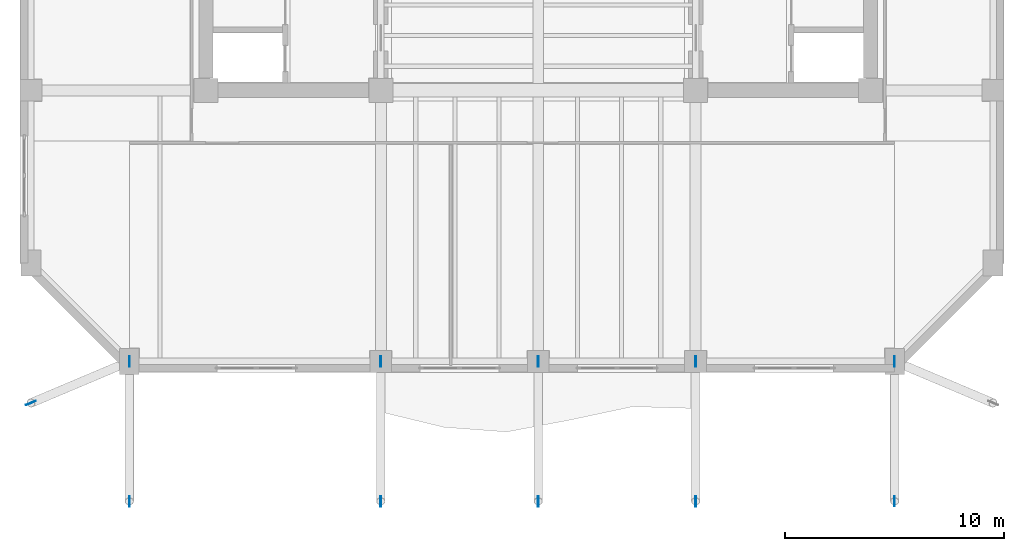
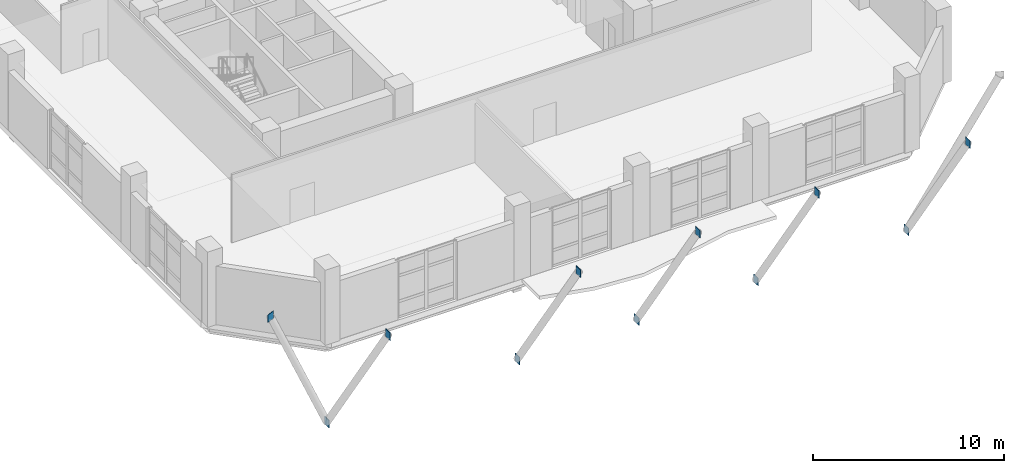
# One storey, part 7 of 16: 11 plates.
"""IFC4 building model written with IfcOpenShell, lengths in metres."""

from ifc_helpers import new_model, si_unit, direction, frame, origin, origin_2d, place, context, subcontext, project, spatial, rectangle, extrude, material, layer, layer_set, type_object, element, save


model = new_model("IFC4")

# Units and contexts
model_context = context("Model", 3, precision=1e-05, world=origin(), true_north=direction((0.0, 1.0)))
body_context = subcontext(model_context, "Body", "Model", "MODEL_VIEW")
ifc_project = project(units=[si_unit("LENGTHUNIT", "METRE"), si_unit("AREAUNIT", "SQUARE_METRE"), si_unit("VOLUMEUNIT", "CUBIC_METRE"), si_unit("PLANEANGLEUNIT", "RADIAN"), si_unit("MASSUNIT", "GRAM", prefix="KILO")], contexts=[model_context])

# Site, building, storey
site_placement = place(None, origin())
site = spatial("IfcSite", under=ifc_project, at=site_placement, CompositionType="ELEMENT")
building_placement = place(site_placement, origin())
building = spatial("IfcBuilding", under=site, at=building_placement, Name="Kranthara Brick Stack", CompositionType="ELEMENT")
storey_placement = place(building_placement, frame((0.0, 0.0, 115.5)))
storey = spatial("IfcBuildingStorey", under=building, at=storey_placement, Name="L28", CompositionType="ELEMENT", Elevation=115.5)

# Plates
ifc_material = material(Name="Steel S355", Category="steel")
ifc_layer = layer(ifc_material, 0.030029296875)
ifc_layer_set = layer_set([ifc_layer], Name="Steel S355")
plate_type = type_object("IfcPlateType", Name="PLT-GUSSET-30", PredefinedType="USERDEFINED", material=ifc_layer_set)
for number, where, z_axis, x_axis, name in (
    (1, (9.300048828125, 8.39990234375, -5.639892578125), (0.0, 0.0, 1.0), (0.0, 1.0, 0.0), "L28 Brace and Strut End Connection Gusset Plate 045"),
    (2, (9.300048828125, 2.0, 3.81005859375), (0.0, 0.0, 1.0), (0.0, 1.0, 0.0), "L28 Brace and Strut End Connection Gusset Plate 046"),
    (3, (20.800048828125, 8.39990234375, -5.639892578125), (0.0, 0.0, 1.0), (0.0, 1.0, 0.0), "L28 Brace and Strut End Connection Gusset Plate 047"),
    (4, (20.800048828125, 2.0, 3.81005859375), (0.0, 0.0, 1.0), (0.0, 1.0, 0.0), "L28 Brace and Strut End Connection Gusset Plate 048"),
    (5, (28.0, 8.39990234375, -5.639892578125), (0.0, 0.0, 1.0), (0.0, 1.0, 0.0), "L28 Brace and Strut End Connection Gusset Plate 049"),
    (6, (28.0, 2.0, 3.81005859375), (0.0, 0.0, 1.0), (0.0, 1.0, 0.0), "L28 Brace and Strut End Connection Gusset Plate 050"),
    (7, (35.199951171875, 8.39990234375, -5.639892578125), (0.0, 0.0, 1.0), (0.0, 1.0, 0.0), "L28 Brace and Strut End Connection Gusset Plate 051"),
    (8, (35.199951171875, 2.0, 3.81005859375), (0.0, 0.0, 1.0), (0.0, 1.0, 0.0), "L28 Brace and Strut End Connection Gusset Plate 052"),
    (9, (44.300048828125, 8.39990234375, -5.639892578125), (0.0, 0.0, 1.0), (0.0, 1.0, 0.0), "L28 Brace and Strut End Connection Gusset Plate 053"),
    (10, (44.300048828125, 2.0, 3.81005859375), (0.0, 0.0, 1.0), (0.0, 1.0, 0.0), "L28 Brace and Strut End Connection Gusset Plate 054"),
    (11, (4.800048828125, 6.5, 3.81005859375), (0.0, 0.0, 1.0), (0.921185405566, 0.38912395014, 0.0), "L28 Brace and Strut End Connection Gusset Plate 055"),
):
    element("IfcPlate", number, at=place(storey_placement, frame(where, z_axis=z_axis, x_axis=x_axis)), inside=storey, type_object=plate_type, Name=name, ObjectType="GUSSET PLATE", PredefinedType="USERDEFINED", context=body_context, shape_type="SweptSolid", body=[
        extrude(rectangle(XDim=0.47998046875, YDim=0.030029296875, at=origin_2d()), origin(), (0.0, 0.0, 1.0), 0.47998046875),
    ])

save(model, "model.ifc")
